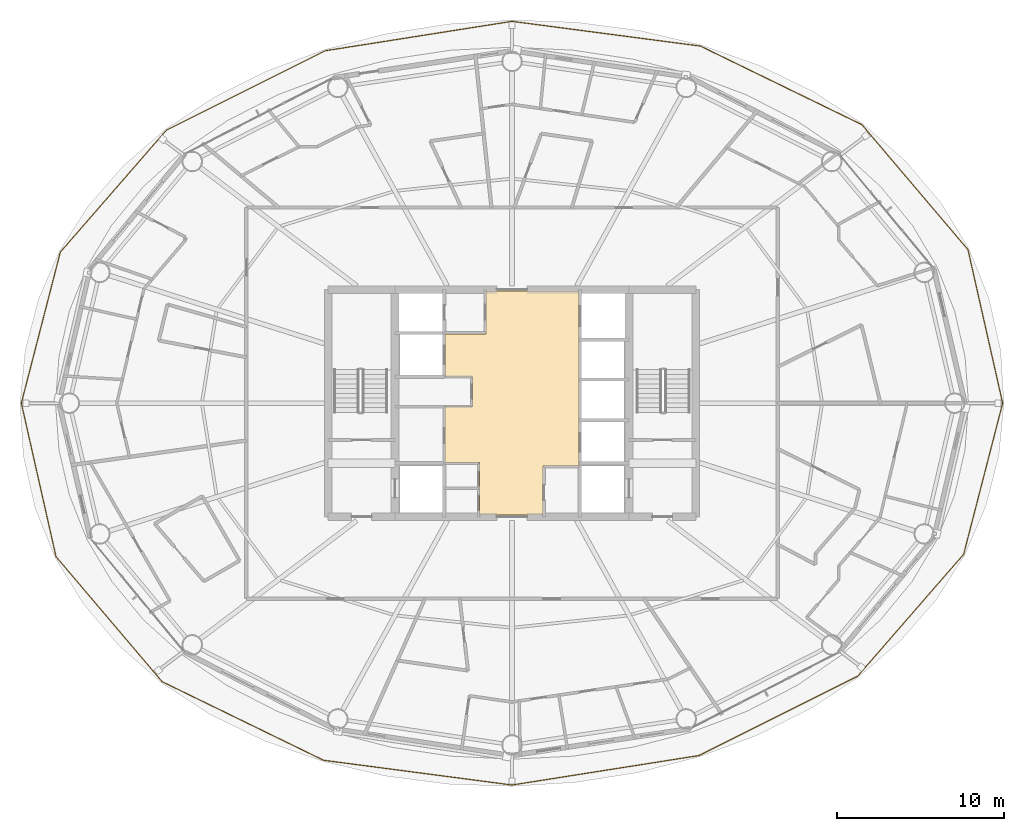
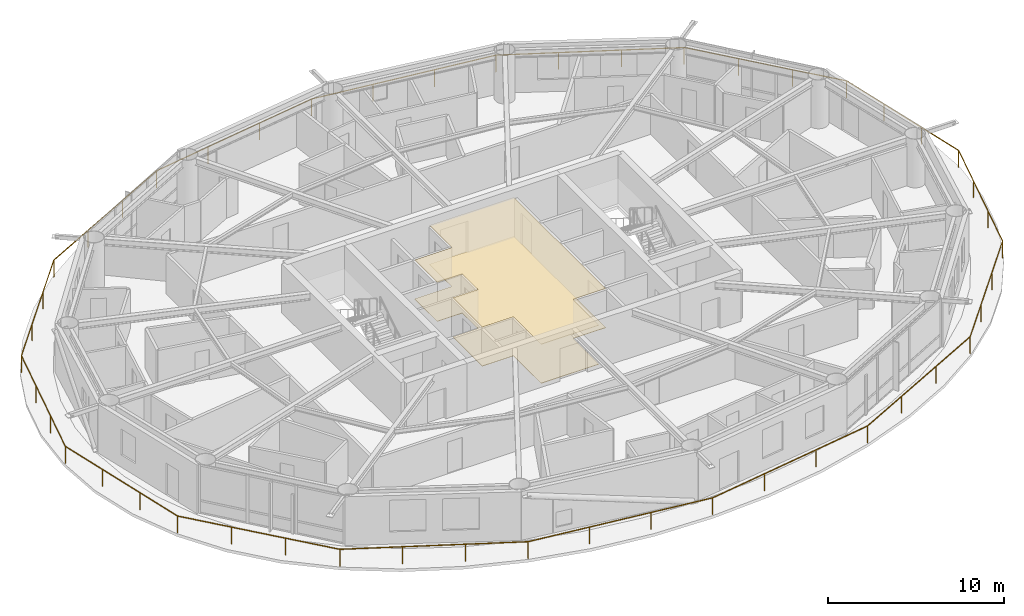
# One storey, part 27 of 28: 2 coverings, 1 railing.
"""IFC4 building model written with IfcOpenShell, lengths in metres."""

from ifc_helpers import new_model, si_unit, direction, frame, origin, origin_2d, place, context, subcontext, project, spatial, polyline, rectangle, outline, extrude, material, layer, layer_set, type_object, element, save


model = new_model("IFC4")

# Units and contexts
model_context = context("Model", 3, precision=1e-05, world=origin(), true_north=direction((0.0, 1.0)))
body_context = subcontext(model_context, "Body", "Model", "MODEL_VIEW")
ifc_project = project(units=[si_unit("LENGTHUNIT", "METRE"), si_unit("AREAUNIT", "SQUARE_METRE"), si_unit("VOLUMEUNIT", "CUBIC_METRE"), si_unit("PLANEANGLEUNIT", "RADIAN"), si_unit("MASSUNIT", "GRAM", prefix="KILO")], contexts=[model_context])

# Site, building, storey
site_placement = place(None, origin())
site = spatial("IfcSite", under=ifc_project, at=site_placement, CompositionType="ELEMENT")
building_placement = place(site_placement, origin())
building = spatial("IfcBuilding", under=site, at=building_placement, Name="Sarneth Arch Tower", CompositionType="ELEMENT")
storey_placement = place(building_placement, frame((0.0, 0.0, 179.39990234375)))
storey = spatial("IfcBuildingStorey", under=building, at=storey_placement, Name="L45", CompositionType="ELEMENT", Elevation=179.39990234375)

# Coverings
ifc_material_1 = material(Name="Perforated acoustic gypsum ceiling board")
ifc_layer_1 = layer(ifc_material_1, 0.02490234375)
ifc_layer_set_1 = layer_set([ifc_layer_1], Name="Perforated acoustic gypsum ceiling board")
covering_type_1 = type_object("IfcCoveringType", Name="COV-CEIL-GYP", PredefinedType="CEILING", material=ifc_layer_set_1)
covering_1_placement = place(storey_placement, frame((0.0, 0.0, 2.710205078125)))
element("IfcCovering", 1, at=covering_1_placement, inside=storey, type_object=covering_type_1, Name="L45 Lift lobby acoustic ceiling", PredefinedType="CEILING", context=body_context, shape_type="SweptSolid", body=[
    extrude(outline(polyline([(49.85009765625, 38.25), (49.85009765625, 35.300048828125), (46.050048828125, 35.300048828125), (46.050048828125, 38.449951171875), (44.0, 38.449951171875), (44.0, 41.800048828125), (45.64990234375, 41.800048828125), (45.64990234375, 43.580078125), (44.0, 43.580078125), (44.0, 46.14990234375), (46.449951171875, 46.14990234375), (46.449951171875, 48.699951171875), (52.0, 48.699951171875), (52.0, 38.25), (49.85009765625, 38.25)])), origin(), (0.0, 0.0, 1.0), 0.02978515625),
])
ifc_material_2 = material(Name="Honed granite stone flooring", Category="masonry")
ifc_layer_2 = layer(ifc_material_2, 0.030029296875)
ifc_layer_set_2 = layer_set([ifc_layer_2], Name="Honed granite stone flooring")
covering_type_2 = type_object("IfcCoveringType", Name="COV-FLR-STONE", PredefinedType="FLOORING", material=ifc_layer_set_2)
covering_2_placement = place(storey_placement, origin())
element("IfcCovering", 2, at=covering_2_placement, inside=storey, type_object=covering_type_2, Name="L45 Lift lobby granite flooring", PredefinedType="FLOORING", context=body_context, shape_type="SweptSolid", body=[
    extrude(outline(polyline([(49.85009765625, 38.25), (49.85009765625, 35.300048828125), (46.050048828125, 35.300048828125), (46.050048828125, 38.449951171875), (44.0, 38.449951171875), (44.0, 41.800048828125), (45.64990234375, 41.800048828125), (45.64990234375, 43.580078125), (44.0, 43.580078125), (44.0, 46.14990234375), (46.449951171875, 46.14990234375), (46.449951171875, 48.699951171875), (52.0, 48.699951171875), (52.0, 38.25), (49.85009765625, 38.25)])), origin(), (0.0, 0.0, 1.0), 0.030029296875),
])

# Railing
ifc_material_3 = material(Name="Laminated structural glass infill with Stainless Steel 316 top rail and posts", Category="steel")
railing_type = type_object("IfcRailingType", Name="RAIL-BALC-1200", PredefinedType="BALUSTRADE", material=ifc_material_3)
railing_placement = place(storey_placement, frame((77.357177734375, 42.0, 0.0)))
element("IfcRailing", 3, at=railing_placement, inside=storey, type_object=railing_type, Name="L45 Helical balcony glass balustrade", PredefinedType="BALUSTRADE", context=body_context, shape_type="SweptSolid", body=[
    extrude(rectangle(XDim=0.048095703125, YDim=0.048095703125, at=origin_2d()), frame((0.0, 0.0, 1.17578125), z_axis=(-0.220440742607, 0.975400368566, 0.0), x_axis=(-0.975400368566, -0.220440742607, 0.0)), (0.0, 0.0, 1.0), 9.4150390625),
    extrude(rectangle(XDim=0.048095703125, YDim=0.048095703125, at=origin_2d()), frame((-2.075439453125, 9.183349609375, 1.17578125), z_axis=(-0.646984903425, 0.762502809661, 0.0), x_axis=(-0.762502809661, -0.646984903425, 0.0)), (0.0, 0.0, 1.0), 9.80859375),
    extrude(rectangle(XDim=0.048095703125, YDim=0.048095703125, at=origin_2d()), frame((-8.42138671875, 16.662353515625, 1.17578125), z_axis=(-0.899143982963, 0.437652942297, 0.0), x_axis=(-0.437652942297, -0.899143982963, 0.0)), (0.0, 0.0, 1.0), 10.743408203125),
    extrude(rectangle(XDim=0.048095703125, YDim=0.048095703125, at=origin_2d()), frame((-18.081298828125, 21.3642578125, 1.17578125), z_axis=(-0.991476785381, 0.130283475739, 0.0), x_axis=(-0.130283475739, -0.991476785381, 0.0)), (0.0, 0.0, 1.0), 11.372802734375),
    extrude(rectangle(XDim=0.048095703125, YDim=0.048095703125, at=origin_2d()), frame((-29.357177734375, 22.845947265625, 1.17578125), z_axis=(-0.987800689229, -0.155723467593, 0.0), x_axis=(0.155723467593, -0.987800689229, 0.0)), (0.0, 0.0, 1.0), 11.32568359375),
    extrude(rectangle(XDim=0.048095703125, YDim=0.048095703125, at=origin_2d()), frame((-40.544677734375, 21.082275390625, 1.17578125), z_axis=(-0.894234008248, -0.44759975256, 0.0), x_axis=(0.44759975256, -0.894234008248, 0.0)), (0.0, 0.0, 1.0), 10.620361328125),
    extrude(rectangle(XDim=0.048095703125, YDim=0.048095703125, at=origin_2d()), frame((-50.041748046875, 16.32861328125, 1.17578125), z_axis=(-0.656213127945, -0.75457559642, 0.0), x_axis=(0.75457559642, -0.656213127945, 0.0)), (0.0, 0.0, 1.0), 9.66015625),
    extrude(rectangle(XDim=0.048095703125, YDim=0.048095703125, at=origin_2d()), frame((-56.380859375, 9.039306640625, 1.17578125), z_axis=(-0.249955528558, -0.968257317939, 0.0), x_axis=(0.968257317939, -0.249955528558, 0.0)), (0.0, 0.0, 1.0), 9.335693359375),
    extrude(rectangle(XDim=0.048095703125, YDim=0.048095703125, at=origin_2d()), frame((-58.71435546875, 0.0, 1.17578125), z_axis=(0.220440742607, -0.975400368566, 0.0), x_axis=(0.975400368566, 0.220440742607, 0.0)), (0.0, 0.0, 1.0), 9.4150390625),
    extrude(rectangle(XDim=0.048095703125, YDim=0.048095703125, at=origin_2d()), frame((-56.638916015625, -9.183349609375, 1.17578125), z_axis=(0.646984903425, -0.762502809661, 0.0), x_axis=(0.762502809661, 0.646984903425, 0.0)), (0.0, 0.0, 1.0), 9.80859375),
    extrude(rectangle(XDim=0.048095703125, YDim=0.048095703125, at=origin_2d()), frame((-50.29296875, -16.662353515625, 1.17578125), z_axis=(0.899143982963, -0.437652942297, 0.0), x_axis=(0.437652942297, 0.899143982963, 0.0)), (0.0, 0.0, 1.0), 10.743408203125),
    extrude(rectangle(XDim=0.048095703125, YDim=0.048095703125, at=origin_2d()), frame((-40.633056640625, -21.3642578125, 1.17578125), z_axis=(0.991476785381, -0.130283475739, 0.0), x_axis=(0.130283475739, 0.991476785381, 0.0)), (0.0, 0.0, 1.0), 11.372802734375),
    extrude(rectangle(XDim=0.048095703125, YDim=0.048095703125, at=origin_2d()), frame((-29.357177734375, -22.845947265625, 1.17578125), z_axis=(0.987800689229, 0.155723467593, 0.0), x_axis=(-0.155723467593, 0.987800689229, 0.0)), (0.0, 0.0, 1.0), 11.32568359375),
    extrude(rectangle(XDim=0.048095703125, YDim=0.048095703125, at=origin_2d()), frame((-18.169677734375, -21.082275390625, 1.17578125), z_axis=(0.894234008248, 0.44759975256, 0.0), x_axis=(-0.44759975256, 0.894234008248, 0.0)), (0.0, 0.0, 1.0), 10.620361328125),
    extrude(rectangle(XDim=0.048095703125, YDim=0.048095703125, at=origin_2d()), frame((-8.672607421875, -16.32861328125, 1.17578125), z_axis=(0.656213127945, 0.75457559642, 0.0), x_axis=(-0.75457559642, 0.656213127945, 0.0)), (0.0, 0.0, 1.0), 9.66015625),
    extrude(rectangle(XDim=0.048095703125, YDim=0.048095703125, at=origin_2d()), frame((-2.33349609375, -9.039306640625, 1.17578125), z_axis=(0.249955528558, 0.968257317939, 0.0), x_axis=(-0.968257317939, 0.249955528558, 0.0)), (0.0, 0.0, 1.0), 9.335693359375),
    extrude(rectangle(XDim=0.0419921875, YDim=0.0419921875, at=origin_2d()), origin(), (0.0, 0.0, 1.0), 1.15185546875),
    extrude(rectangle(XDim=0.0419921875, YDim=0.0419921875, at=origin_2d()), frame((-0.69189453125, 3.06103515625, 0.0)), (0.0, 0.0, 1.0), 1.15185546875),
    extrude(rectangle(XDim=0.0419921875, YDim=0.0419921875, at=origin_2d()), frame((-1.383544921875, 6.122314453125, 0.0)), (0.0, 0.0, 1.0), 1.15185546875),
    extrude(rectangle(XDim=0.0419921875, YDim=0.0419921875, at=origin_2d()), frame((-2.075439453125, 9.183349609375, 0.0)), (0.0, 0.0, 1.0), 1.15185546875),
    extrude(rectangle(XDim=0.0419921875, YDim=0.0419921875, at=origin_2d()), frame((-4.190673828125, 11.67626953125, 0.0)), (0.0, 0.0, 1.0), 1.15185546875),
    extrude(rectangle(XDim=0.0419921875, YDim=0.0419921875, at=origin_2d()), frame((-6.30615234375, 14.16943359375, 0.0)), (0.0, 0.0, 1.0), 1.15185546875),
    extrude(rectangle(XDim=0.0419921875, YDim=0.0419921875, at=origin_2d()), frame((-8.42138671875, 16.662353515625, 0.0)), (0.0, 0.0, 1.0), 1.15185546875),
    extrude(rectangle(XDim=0.0419921875, YDim=0.0419921875, at=origin_2d()), frame((-11.641357421875, 18.229736328125, 0.0)), (0.0, 0.0, 1.0), 1.15185546875),
    extrude(rectangle(XDim=0.0419921875, YDim=0.0419921875, at=origin_2d()), frame((-14.861328125, 19.796875, 0.0)), (0.0, 0.0, 1.0), 1.15185546875),
    extrude(rectangle(XDim=0.0419921875, YDim=0.0419921875, at=origin_2d()), frame((-18.081298828125, 21.3642578125, 0.0)), (0.0, 0.0, 1.0), 1.15185546875),
    extrude(rectangle(XDim=0.0419921875, YDim=0.0419921875, at=origin_2d()), frame((-21.83984375, 21.858154296875, 0.0)), (0.0, 0.0, 1.0), 1.15185546875),
    extrude(rectangle(XDim=0.0419921875, YDim=0.0419921875, at=origin_2d()), frame((-25.5986328125, 22.35205078125, 0.0)), (0.0, 0.0, 1.0), 1.15185546875),
    extrude(rectangle(XDim=0.0419921875, YDim=0.0419921875, at=origin_2d()), frame((-29.357177734375, 22.845947265625, 0.0)), (0.0, 0.0, 1.0), 1.15185546875),
    extrude(rectangle(XDim=0.0419921875, YDim=0.0419921875, at=origin_2d()), frame((-33.08642578125, 22.258056640625, 0.0)), (0.0, 0.0, 1.0), 1.15185546875),
    extrude(rectangle(XDim=0.0419921875, YDim=0.0419921875, at=origin_2d()), frame((-36.8154296875, 21.670166015625, 0.0)), (0.0, 0.0, 1.0), 1.15185546875),
    extrude(rectangle(XDim=0.0419921875, YDim=0.0419921875, at=origin_2d()), frame((-40.544677734375, 21.082275390625, 0.0)), (0.0, 0.0, 1.0), 1.15185546875),
    extrude(rectangle(XDim=0.0419921875, YDim=0.0419921875, at=origin_2d()), frame((-43.71044921875, 19.497802734375, 0.0)), (0.0, 0.0, 1.0), 1.15185546875),
    extrude(rectangle(XDim=0.0419921875, YDim=0.0419921875, at=origin_2d()), frame((-46.8759765625, 17.9130859375, 0.0)), (0.0, 0.0, 1.0), 1.15185546875),
    extrude(rectangle(XDim=0.0419921875, YDim=0.0419921875, at=origin_2d()), frame((-50.041748046875, 16.32861328125, 0.0)), (0.0, 0.0, 1.0), 1.15185546875),
    extrude(rectangle(XDim=0.0419921875, YDim=0.0419921875, at=origin_2d()), frame((-52.15478515625, 13.89892578125, 0.0)), (0.0, 0.0, 1.0), 1.15185546875),
    extrude(rectangle(XDim=0.0419921875, YDim=0.0419921875, at=origin_2d()), frame((-54.267822265625, 11.468994140625, 0.0)), (0.0, 0.0, 1.0), 1.15185546875),
    extrude(rectangle(XDim=0.0419921875, YDim=0.0419921875, at=origin_2d()), frame((-56.380859375, 9.039306640625, 0.0)), (0.0, 0.0, 1.0), 1.15185546875),
    extrude(rectangle(XDim=0.0419921875, YDim=0.0419921875, at=origin_2d()), frame((-57.15869140625, 6.026123046875, 0.0)), (0.0, 0.0, 1.0), 1.15185546875),
    extrude(rectangle(XDim=0.0419921875, YDim=0.0419921875, at=origin_2d()), frame((-57.9365234375, 3.01318359375, 0.0)), (0.0, 0.0, 1.0), 1.15185546875),
    extrude(rectangle(XDim=0.0419921875, YDim=0.0419921875, at=origin_2d()), frame((-58.71435546875, 0.0, 0.0)), (0.0, 0.0, 1.0), 1.15185546875),
    extrude(rectangle(XDim=0.0419921875, YDim=0.0419921875, at=origin_2d()), frame((-58.0224609375, -3.06103515625, 0.0)), (0.0, 0.0, 1.0), 1.15185546875),
    extrude(rectangle(XDim=0.0419921875, YDim=0.0419921875, at=origin_2d()), frame((-57.330810546875, -6.122314453125, 0.0)), (0.0, 0.0, 1.0), 1.15185546875),
    extrude(rectangle(XDim=0.0419921875, YDim=0.0419921875, at=origin_2d()), frame((-56.638916015625, -9.183349609375, 0.0)), (0.0, 0.0, 1.0), 1.15185546875),
    extrude(rectangle(XDim=0.0419921875, YDim=0.0419921875, at=origin_2d()), frame((-54.523681640625, -11.67626953125, 0.0)), (0.0, 0.0, 1.0), 1.15185546875),
    extrude(rectangle(XDim=0.0419921875, YDim=0.0419921875, at=origin_2d()), frame((-52.408203125, -14.16943359375, 0.0)), (0.0, 0.0, 1.0), 1.15185546875),
    extrude(rectangle(XDim=0.0419921875, YDim=0.0419921875, at=origin_2d()), frame((-50.29296875, -16.662353515625, 0.0)), (0.0, 0.0, 1.0), 1.15185546875),
    extrude(rectangle(XDim=0.0419921875, YDim=0.0419921875, at=origin_2d()), frame((-47.072998046875, -18.229736328125, 0.0)), (0.0, 0.0, 1.0), 1.15185546875),
    extrude(rectangle(XDim=0.0419921875, YDim=0.0419921875, at=origin_2d()), frame((-43.85302734375, -19.796875, 0.0)), (0.0, 0.0, 1.0), 1.15185546875),
    extrude(rectangle(XDim=0.0419921875, YDim=0.0419921875, at=origin_2d()), frame((-40.633056640625, -21.3642578125, 0.0)), (0.0, 0.0, 1.0), 1.15185546875),
    extrude(rectangle(XDim=0.0419921875, YDim=0.0419921875, at=origin_2d()), frame((-36.87451171875, -21.858154296875, 0.0)), (0.0, 0.0, 1.0), 1.15185546875),
    extrude(rectangle(XDim=0.0419921875, YDim=0.0419921875, at=origin_2d()), frame((-33.11572265625, -22.35205078125, 0.0)), (0.0, 0.0, 1.0), 1.15185546875),
    extrude(rectangle(XDim=0.0419921875, YDim=0.0419921875, at=origin_2d()), frame((-29.357177734375, -22.845947265625, 0.0)), (0.0, 0.0, 1.0), 1.15185546875),
    extrude(rectangle(XDim=0.0419921875, YDim=0.0419921875, at=origin_2d()), frame((-25.6279296875, -22.258056640625, 0.0)), (0.0, 0.0, 1.0), 1.15185546875),
    extrude(rectangle(XDim=0.0419921875, YDim=0.0419921875, at=origin_2d()), frame((-21.89892578125, -21.670166015625, 0.0)), (0.0, 0.0, 1.0), 1.15185546875),
    extrude(rectangle(XDim=0.0419921875, YDim=0.0419921875, at=origin_2d()), frame((-18.169677734375, -21.082275390625, 0.0)), (0.0, 0.0, 1.0), 1.15185546875),
    extrude(rectangle(XDim=0.0419921875, YDim=0.0419921875, at=origin_2d()), frame((-15.00390625, -19.497802734375, 0.0)), (0.0, 0.0, 1.0), 1.15185546875),
    extrude(rectangle(XDim=0.0419921875, YDim=0.0419921875, at=origin_2d()), frame((-11.83837890625, -17.9130859375, 0.0)), (0.0, 0.0, 1.0), 1.15185546875),
    extrude(rectangle(XDim=0.0419921875, YDim=0.0419921875, at=origin_2d()), frame((-8.672607421875, -16.32861328125, 0.0)), (0.0, 0.0, 1.0), 1.15185546875),
    extrude(rectangle(XDim=0.0419921875, YDim=0.0419921875, at=origin_2d()), frame((-6.5595703125, -13.89892578125, 0.0)), (0.0, 0.0, 1.0), 1.15185546875),
    extrude(rectangle(XDim=0.0419921875, YDim=0.0419921875, at=origin_2d()), frame((-4.446533203125, -11.468994140625, 0.0)), (0.0, 0.0, 1.0), 1.15185546875),
    extrude(rectangle(XDim=0.0419921875, YDim=0.0419921875, at=origin_2d()), frame((-2.33349609375, -9.039306640625, 0.0)), (0.0, 0.0, 1.0), 1.15185546875),
    extrude(rectangle(XDim=0.0419921875, YDim=0.0419921875, at=origin_2d()), frame((-1.5556640625, -6.026123046875, 0.0)), (0.0, 0.0, 1.0), 1.15185546875),
    extrude(rectangle(XDim=0.0419921875, YDim=0.0419921875, at=origin_2d()), frame((-0.77783203125, -3.01318359375, 0.0)), (0.0, 0.0, 1.0), 1.15185546875),
])

save(model, "model.ifc")
